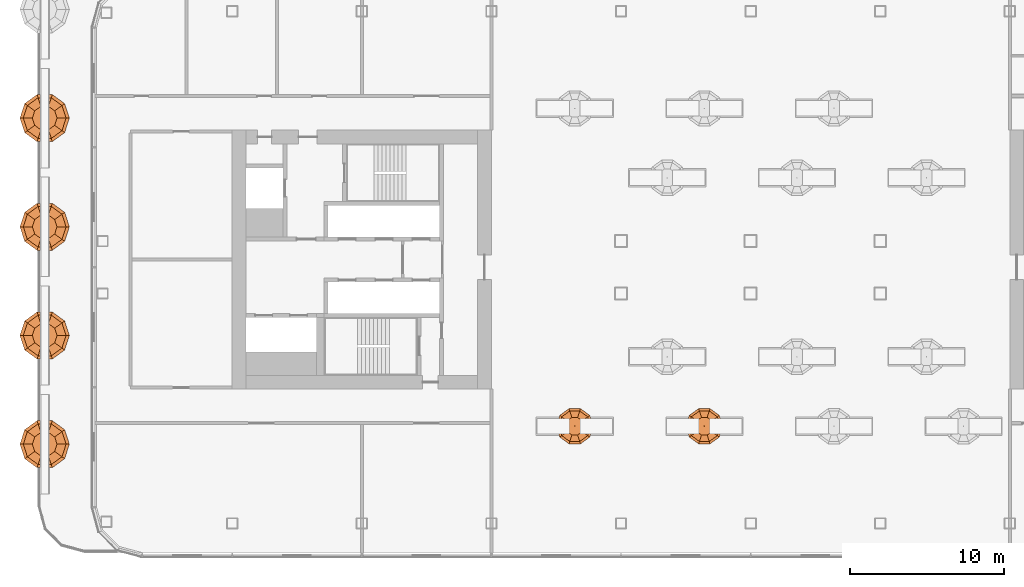
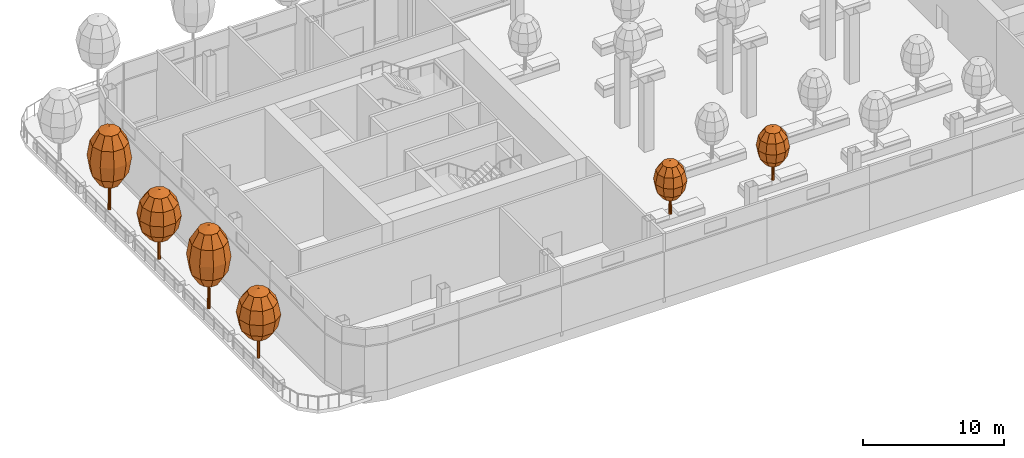
# One storey, part 38 of 43: 6 geographic elements.
"""IFC4 building model written with IfcOpenShell, lengths in metres."""

from ifc_helpers import new_model, si_unit, direction, frame, origin, place, context, subcontext, project, spatial, triangles, material, type_object, element, save


model = new_model("IFC4")

# Units and contexts
model_context = context("Model", 3, precision=1e-05, world=origin(), true_north=direction((0.0, 1.0)))
body_context = subcontext(model_context, "Body", "Model", "MODEL_VIEW")
ifc_project = project(units=[si_unit("LENGTHUNIT", "METRE"), si_unit("AREAUNIT", "SQUARE_METRE"), si_unit("VOLUMEUNIT", "CUBIC_METRE"), si_unit("PLANEANGLEUNIT", "RADIAN"), si_unit("MASSUNIT", "GRAM", prefix="KILO")], contexts=[model_context])

# Site, building, storey
site_placement = place(None, origin())
site = spatial("IfcSite", under=ifc_project, at=site_placement, CompositionType="ELEMENT")
building_placement = place(site_placement, origin())
building = spatial("IfcBuilding", under=site, at=building_placement, Name="Hakoniwa Tower and Hamabe Station Hall", CompositionType="ELEMENT")
storey_placement = place(building_placement, frame((0.0, 0.0, 124.60009765625)))
storey = spatial("IfcBuildingStorey", under=building, at=storey_placement, Name="L35", CompositionType="ELEMENT", Elevation=124.60009765625)

# Geographic elements
ifc_material_1 = material(Name="Tree foliage")
geographic_element_type_1 = type_object("IfcGeographicElementType", Name="Camellia 4.6 m", PredefinedType="USERDEFINED", material=ifc_material_1)
geographic_element_1_placement = place(storey_placement, frame((-11.39990234375, -10.800048828125, 0.599853515625)))
element("IfcGeographicElement", 1, at=geographic_element_1_placement, inside=storey, type_object=geographic_element_type_1, Name="Camellia 4-6 m", ObjectType="TREE", PredefinedType="USERDEFINED", context=body_context, shape_type="Tessellation", body=[
    triangles([(0.125, 0.0, 0.0), (0.08837890625, 0.08837890625, 0.0), (0.0, 0.125, 0.0), (-0.08837890625, 0.08837890625, 0.0), (-0.125, 0.0, 0.0), (-0.08837890625, -0.08837890625, 0.0), (0.0, -0.125, 0.0), (0.08837890625, -0.08837890625, 0.0), (0.074951171875, 0.0, 2.778564453125), (0.052978515625, 0.052978515625, 2.778564453125), (0.0, 0.074951171875, 2.778564453125), (-0.052978515625, 0.052978515625, 2.778564453125), (-0.074951171875, 0.0, 2.778564453125), (-0.052978515625, -0.052978515625, 2.778564453125), (0.0, -0.074951171875, 2.778564453125), (0.052978515625, -0.052978515625, 2.778564453125), (0.0, 0.0, 0.0), (0.0, 0.0, 2.778564453125)], [[1, 2, 10], [1, 10, 9], [17, 2, 1], [18, 9, 10], [2, 3, 11], [2, 11, 10], [17, 3, 2], [18, 10, 11], [3, 4, 12], [3, 12, 11], [17, 4, 3], [18, 11, 12], [4, 5, 13], [4, 13, 12], [17, 5, 4], [18, 12, 13], [5, 6, 14], [5, 14, 13], [17, 6, 5], [18, 13, 14], [6, 7, 15], [6, 15, 14], [17, 7, 6], [18, 14, 15], [7, 8, 16], [7, 16, 15], [17, 8, 7], [18, 15, 16], [8, 1, 9], [8, 9, 16], [17, 1, 8], [18, 16, 9]], closed=True),
    triangles([(0.0, 0.0, 1.2880859375), (0.599853515625, 0.0, 1.510009765625), (0.4853515625, 0.3525390625, 1.510009765625), (0.185302734375, 0.570556640625, 1.510009765625), (-0.185302734375, 0.570556640625, 1.510009765625), (-0.4853515625, 0.3525390625, 1.510009765625), (-0.599853515625, 0.0, 1.510009765625), (-0.4853515625, -0.3525390625, 1.510009765625), (-0.185302734375, -0.570556640625, 1.510009765625), (0.185302734375, -0.570556640625, 1.510009765625), (0.4853515625, -0.3525390625, 1.510009765625), (1.039306640625, 0.0, 2.115966796875), (0.8408203125, 0.61083984375, 2.115966796875), (0.321044921875, 0.98828125, 2.115966796875), (-0.321044921875, 0.98828125, 2.115966796875), (-0.8408203125, 0.61083984375, 2.115966796875), (-1.039306640625, 0.0, 2.115966796875), (-0.8408203125, -0.61083984375, 2.115966796875), (-0.321044921875, -0.98828125, 2.115966796875), (0.321044921875, -0.98828125, 2.115966796875), (0.8408203125, -0.61083984375, 2.115966796875), (1.199951171875, 0.0, 2.944091796875), (0.970703125, 0.705322265625, 2.944091796875), (0.370849609375, 1.14111328125, 2.944091796875), (-0.370849609375, 1.14111328125, 2.944091796875), (-0.970703125, 0.705322265625, 2.944091796875), (-1.199951171875, 0.0, 2.944091796875), (-0.970703125, -0.705322265625, 2.944091796875), (-0.370849609375, -1.14111328125, 2.944091796875), (0.370849609375, -1.14111328125, 2.944091796875), (0.970703125, -0.705322265625, 2.944091796875), (1.039306640625, 0.0, 3.77197265625), (0.8408203125, 0.61083984375, 3.77197265625), (0.321044921875, 0.98828125, 3.77197265625), (-0.321044921875, 0.98828125, 3.77197265625), (-0.8408203125, 0.61083984375, 3.77197265625), (-1.039306640625, 0.0, 3.77197265625), (-0.8408203125, -0.61083984375, 3.77197265625), (-0.321044921875, -0.98828125, 3.77197265625), (0.321044921875, -0.98828125, 3.77197265625), (0.8408203125, -0.61083984375, 3.77197265625), (0.599853515625, 0.0, 4.378173828125), (0.4853515625, 0.3525390625, 4.378173828125), (0.185302734375, 0.570556640625, 4.378173828125), (-0.185302734375, 0.570556640625, 4.378173828125), (-0.4853515625, 0.3525390625, 4.378173828125), (-0.599853515625, 0.0, 4.378173828125), (-0.4853515625, -0.3525390625, 4.378173828125), (-0.185302734375, -0.570556640625, 4.378173828125), (0.185302734375, -0.570556640625, 4.378173828125), (0.4853515625, -0.3525390625, 4.378173828125), (0.0, 0.0, 4.60009765625)], [[1, 3, 2], [1, 4, 3], [1, 5, 4], [1, 6, 5], [1, 7, 6], [1, 8, 7], [1, 9, 8], [1, 10, 9], [1, 11, 10], [1, 2, 11], [2, 3, 13], [2, 13, 12], [3, 4, 14], [3, 14, 13], [4, 5, 15], [4, 15, 14], [5, 6, 16], [5, 16, 15], [6, 7, 17], [6, 17, 16], [7, 8, 18], [7, 18, 17], [8, 9, 19], [8, 19, 18], [9, 10, 20], [9, 20, 19], [10, 11, 21], [10, 21, 20], [11, 2, 12], [11, 12, 21], [12, 13, 23], [12, 23, 22], [13, 14, 24], [13, 24, 23], [14, 15, 25], [14, 25, 24], [15, 16, 26], [15, 26, 25], [16, 17, 27], [16, 27, 26], [17, 18, 28], [17, 28, 27], [18, 19, 29], [18, 29, 28], [19, 20, 30], [19, 30, 29], [20, 21, 31], [20, 31, 30], [21, 12, 22], [21, 22, 31], [22, 23, 33], [22, 33, 32], [23, 24, 34], [23, 34, 33], [24, 25, 35], [24, 35, 34], [25, 26, 36], [25, 36, 35], [26, 27, 37], [26, 37, 36], [27, 28, 38], [27, 38, 37], [28, 29, 39], [28, 39, 38], [29, 30, 40], [29, 40, 39], [30, 31, 41], [30, 41, 40], [31, 22, 32], [31, 32, 41], [32, 33, 43], [32, 43, 42], [33, 34, 44], [33, 44, 43], [34, 35, 45], [34, 45, 44], [35, 36, 46], [35, 46, 45], [36, 37, 47], [36, 47, 46], [37, 38, 48], [37, 48, 47], [38, 39, 49], [38, 49, 48], [39, 40, 50], [39, 50, 49], [40, 41, 51], [40, 51, 50], [41, 32, 42], [41, 42, 51], [52, 42, 43], [52, 43, 44], [52, 44, 45], [52, 45, 46], [52, 46, 47], [52, 47, 48], [52, 48, 49], [52, 49, 50], [52, 50, 51], [52, 51, 42]], closed=True),
])
geographic_element_2_placement = place(storey_placement, frame((-3.0, -10.800048828125, 0.599853515625)))
element("IfcGeographicElement", 2, at=geographic_element_2_placement, inside=storey, type_object=geographic_element_type_1, Name="Camellia 4-6 m", ObjectType="TREE", PredefinedType="USERDEFINED", context=body_context, shape_type="Tessellation", body=[
    triangles([(0.125, 0.0, 0.0), (0.08837890625, 0.08837890625, 0.0), (0.0, 0.125, 0.0), (-0.08837890625, 0.08837890625, 0.0), (-0.125, 0.0, 0.0), (-0.08837890625, -0.08837890625, 0.0), (0.0, -0.125, 0.0), (0.08837890625, -0.08837890625, 0.0), (0.074951171875, 0.0, 2.778564453125), (0.052978515625, 0.052978515625, 2.778564453125), (0.0, 0.074951171875, 2.778564453125), (-0.052978515625, 0.052978515625, 2.778564453125), (-0.074951171875, 0.0, 2.778564453125), (-0.052978515625, -0.052978515625, 2.778564453125), (0.0, -0.074951171875, 2.778564453125), (0.052978515625, -0.052978515625, 2.778564453125), (0.0, 0.0, 0.0), (0.0, 0.0, 2.778564453125)], [[1, 2, 10], [1, 10, 9], [17, 2, 1], [18, 9, 10], [2, 3, 11], [2, 11, 10], [17, 3, 2], [18, 10, 11], [3, 4, 12], [3, 12, 11], [17, 4, 3], [18, 11, 12], [4, 5, 13], [4, 13, 12], [17, 5, 4], [18, 12, 13], [5, 6, 14], [5, 14, 13], [17, 6, 5], [18, 13, 14], [6, 7, 15], [6, 15, 14], [17, 7, 6], [18, 14, 15], [7, 8, 16], [7, 16, 15], [17, 8, 7], [18, 15, 16], [8, 1, 9], [8, 9, 16], [17, 1, 8], [18, 16, 9]], closed=True),
    triangles([(0.0, 0.0, 1.2880859375), (0.599853515625, 0.0, 1.510009765625), (0.4853515625, 0.3525390625, 1.510009765625), (0.185302734375, 0.570556640625, 1.510009765625), (-0.185302734375, 0.570556640625, 1.510009765625), (-0.4853515625, 0.3525390625, 1.510009765625), (-0.599853515625, 0.0, 1.510009765625), (-0.4853515625, -0.3525390625, 1.510009765625), (-0.185302734375, -0.570556640625, 1.510009765625), (0.185302734375, -0.570556640625, 1.510009765625), (0.4853515625, -0.3525390625, 1.510009765625), (1.039306640625, 0.0, 2.115966796875), (0.8408203125, 0.61083984375, 2.115966796875), (0.321044921875, 0.98828125, 2.115966796875), (-0.321044921875, 0.98828125, 2.115966796875), (-0.8408203125, 0.61083984375, 2.115966796875), (-1.039306640625, 0.0, 2.115966796875), (-0.8408203125, -0.61083984375, 2.115966796875), (-0.321044921875, -0.98828125, 2.115966796875), (0.321044921875, -0.98828125, 2.115966796875), (0.8408203125, -0.61083984375, 2.115966796875), (1.199951171875, 0.0, 2.944091796875), (0.970703125, 0.705322265625, 2.944091796875), (0.370849609375, 1.14111328125, 2.944091796875), (-0.370849609375, 1.14111328125, 2.944091796875), (-0.970703125, 0.705322265625, 2.944091796875), (-1.199951171875, 0.0, 2.944091796875), (-0.970703125, -0.705322265625, 2.944091796875), (-0.370849609375, -1.14111328125, 2.944091796875), (0.370849609375, -1.14111328125, 2.944091796875), (0.970703125, -0.705322265625, 2.944091796875), (1.039306640625, 0.0, 3.77197265625), (0.8408203125, 0.61083984375, 3.77197265625), (0.321044921875, 0.98828125, 3.77197265625), (-0.321044921875, 0.98828125, 3.77197265625), (-0.8408203125, 0.61083984375, 3.77197265625), (-1.039306640625, 0.0, 3.77197265625), (-0.8408203125, -0.61083984375, 3.77197265625), (-0.321044921875, -0.98828125, 3.77197265625), (0.321044921875, -0.98828125, 3.77197265625), (0.8408203125, -0.61083984375, 3.77197265625), (0.599853515625, 0.0, 4.378173828125), (0.4853515625, 0.3525390625, 4.378173828125), (0.185302734375, 0.570556640625, 4.378173828125), (-0.185302734375, 0.570556640625, 4.378173828125), (-0.4853515625, 0.3525390625, 4.378173828125), (-0.599853515625, 0.0, 4.378173828125), (-0.4853515625, -0.3525390625, 4.378173828125), (-0.185302734375, -0.570556640625, 4.378173828125), (0.185302734375, -0.570556640625, 4.378173828125), (0.4853515625, -0.3525390625, 4.378173828125), (0.0, 0.0, 4.60009765625)], [[1, 3, 2], [1, 4, 3], [1, 5, 4], [1, 6, 5], [1, 7, 6], [1, 8, 7], [1, 9, 8], [1, 10, 9], [1, 11, 10], [1, 2, 11], [2, 3, 13], [2, 13, 12], [3, 4, 14], [3, 14, 13], [4, 5, 15], [4, 15, 14], [5, 6, 16], [5, 16, 15], [6, 7, 17], [6, 17, 16], [7, 8, 18], [7, 18, 17], [8, 9, 19], [8, 19, 18], [9, 10, 20], [9, 20, 19], [10, 11, 21], [10, 21, 20], [11, 2, 12], [11, 12, 21], [12, 13, 23], [12, 23, 22], [13, 14, 24], [13, 24, 23], [14, 15, 25], [14, 25, 24], [15, 16, 26], [15, 26, 25], [16, 17, 27], [16, 27, 26], [17, 18, 28], [17, 28, 27], [18, 19, 29], [18, 29, 28], [19, 20, 30], [19, 30, 29], [20, 21, 31], [20, 31, 30], [21, 12, 22], [21, 22, 31], [22, 23, 33], [22, 33, 32], [23, 24, 34], [23, 34, 33], [24, 25, 35], [24, 35, 34], [25, 26, 36], [25, 36, 35], [26, 27, 37], [26, 37, 36], [27, 28, 38], [27, 38, 37], [28, 29, 39], [28, 39, 38], [29, 30, 40], [29, 40, 39], [30, 31, 41], [30, 41, 40], [31, 22, 32], [31, 32, 41], [32, 33, 43], [32, 43, 42], [33, 34, 44], [33, 44, 43], [34, 35, 45], [34, 45, 44], [35, 36, 46], [35, 46, 45], [36, 37, 47], [36, 47, 46], [37, 38, 48], [37, 48, 47], [38, 39, 49], [38, 49, 48], [39, 40, 50], [39, 50, 49], [40, 41, 51], [40, 51, 50], [41, 32, 42], [41, 42, 51], [52, 42, 43], [52, 43, 44], [52, 44, 45], [52, 45, 46], [52, 46, 47], [52, 47, 48], [52, 48, 49], [52, 49, 50], [52, 50, 51], [52, 51, 42]], closed=True),
])
ifc_material_2 = material(Name="Tree foliage")
geographic_element_type_2 = type_object("IfcGeographicElementType", Name="Japanese maple 7.2 m", PredefinedType="USERDEFINED", material=ifc_material_2)
geographic_element_3_placement = place(storey_placement, frame((-45.7509765625, 9.169677734375, 0.89990234375)))
element("IfcGeographicElement", 3, at=geographic_element_3_placement, inside=storey, type_object=geographic_element_type_2, Name="Japanese maple 7-2 m", ObjectType="TREE", PredefinedType="USERDEFINED", context=body_context, shape_type="Tessellation", body=[
    triangles([(0.125, 0.0, 0.0), (0.08837890625, 0.08837890625, 0.0), (0.0, 0.125, 0.0), (-0.08837890625, 0.08837890625, 0.0), (-0.125, 0.0, 0.0), (-0.08837890625, -0.08837890625, 0.0), (0.0, -0.125, 0.0), (0.08837890625, -0.08837890625, 0.0), (0.074951171875, 0.0, 4.348876953125), (0.052978515625, 0.052978515625, 4.348876953125), (0.0, 0.074951171875, 4.348876953125), (-0.052978515625, 0.052978515625, 4.348876953125), (-0.074951171875, 0.0, 4.348876953125), (-0.052978515625, -0.052978515625, 4.348876953125), (0.0, -0.074951171875, 4.348876953125), (0.052978515625, -0.052978515625, 4.348876953125), (0.0, 0.0, 0.0), (0.0, 0.0, 4.348876953125)], [[1, 2, 10], [1, 10, 9], [17, 2, 1], [18, 9, 10], [2, 3, 11], [2, 11, 10], [17, 3, 2], [18, 10, 11], [3, 4, 12], [3, 12, 11], [17, 4, 3], [18, 11, 12], [4, 5, 13], [4, 13, 12], [17, 5, 4], [18, 12, 13], [5, 6, 14], [5, 14, 13], [17, 6, 5], [18, 13, 14], [6, 7, 15], [6, 15, 14], [17, 7, 6], [18, 14, 15], [7, 8, 16], [7, 16, 15], [17, 8, 7], [18, 15, 16], [8, 1, 9], [8, 9, 16], [17, 1, 8], [18, 16, 9]], closed=True),
    triangles([(0.0, 0.0, 2.015869140625), (0.800048828125, 0.0, 2.36328125), (0.647216796875, 0.47021484375, 2.36328125), (0.247314453125, 0.7607421875, 2.36328125), (-0.247314453125, 0.7607421875, 2.36328125), (-0.647216796875, 0.47021484375, 2.36328125), (-0.800048828125, 0.0, 2.36328125), (-0.647216796875, -0.47021484375, 2.36328125), (-0.247314453125, -0.7607421875, 2.36328125), (0.247314453125, -0.7607421875, 2.36328125), (0.647216796875, -0.47021484375, 2.36328125), (1.385498046875, 0.0, 3.31201171875), (1.12109375, 0.814453125, 3.31201171875), (0.42822265625, 1.31787109375, 3.31201171875), (-0.42822265625, 1.31787109375, 3.31201171875), (-1.12109375, 0.814453125, 3.31201171875), (-1.385498046875, 0.0, 3.31201171875), (-1.12109375, -0.814453125, 3.31201171875), (-0.42822265625, -1.31787109375, 3.31201171875), (0.42822265625, -1.31787109375, 3.31201171875), (1.12109375, -0.814453125, 3.31201171875), (1.60009765625, 0.0, 4.60791015625), (1.29443359375, 0.9404296875, 4.60791015625), (0.494384765625, 1.521728515625, 4.60791015625), (-0.494384765625, 1.521728515625, 4.60791015625), (-1.29443359375, 0.9404296875, 4.60791015625), (-1.60009765625, 0.0, 4.60791015625), (-1.29443359375, -0.9404296875, 4.60791015625), (-0.494384765625, -1.521728515625, 4.60791015625), (0.494384765625, -1.521728515625, 4.60791015625), (1.29443359375, -0.9404296875, 4.60791015625), (1.385498046875, 0.0, 5.904052734375), (1.12109375, 0.814453125, 5.904052734375), (0.42822265625, 1.31787109375, 5.904052734375), (-0.42822265625, 1.31787109375, 5.904052734375), (-1.12109375, 0.814453125, 5.904052734375), (-1.385498046875, 0.0, 5.904052734375), (-1.12109375, -0.814453125, 5.904052734375), (-0.42822265625, -1.31787109375, 5.904052734375), (0.42822265625, -1.31787109375, 5.904052734375), (1.12109375, -0.814453125, 5.904052734375), (0.800048828125, 0.0, 6.852783203125), (0.647216796875, 0.47021484375, 6.852783203125), (0.247314453125, 0.7607421875, 6.852783203125), (-0.247314453125, 0.7607421875, 6.852783203125), (-0.647216796875, 0.47021484375, 6.852783203125), (-0.800048828125, 0.0, 6.852783203125), (-0.647216796875, -0.47021484375, 6.852783203125), (-0.247314453125, -0.7607421875, 6.852783203125), (0.247314453125, -0.7607421875, 6.852783203125), (0.647216796875, -0.47021484375, 6.852783203125), (0.0, 0.0, 7.199951171875)], [[1, 3, 2], [1, 4, 3], [1, 5, 4], [1, 6, 5], [1, 7, 6], [1, 8, 7], [1, 9, 8], [1, 10, 9], [1, 11, 10], [1, 2, 11], [2, 3, 13], [2, 13, 12], [3, 4, 14], [3, 14, 13], [4, 5, 15], [4, 15, 14], [5, 6, 16], [5, 16, 15], [6, 7, 17], [6, 17, 16], [7, 8, 18], [7, 18, 17], [8, 9, 19], [8, 19, 18], [9, 10, 20], [9, 20, 19], [10, 11, 21], [10, 21, 20], [11, 2, 12], [11, 12, 21], [12, 13, 23], [12, 23, 22], [13, 14, 24], [13, 24, 23], [14, 15, 25], [14, 25, 24], [15, 16, 26], [15, 26, 25], [16, 17, 27], [16, 27, 26], [17, 18, 28], [17, 28, 27], [18, 19, 29], [18, 29, 28], [19, 20, 30], [19, 30, 29], [20, 21, 31], [20, 31, 30], [21, 12, 22], [21, 22, 31], [22, 23, 33], [22, 33, 32], [23, 24, 34], [23, 34, 33], [24, 25, 35], [24, 35, 34], [25, 26, 36], [25, 36, 35], [26, 27, 37], [26, 37, 36], [27, 28, 38], [27, 38, 37], [28, 29, 39], [28, 39, 38], [29, 30, 40], [29, 40, 39], [30, 31, 41], [30, 41, 40], [31, 22, 32], [31, 32, 41], [32, 33, 43], [32, 43, 42], [33, 34, 44], [33, 44, 43], [34, 35, 45], [34, 45, 44], [35, 36, 46], [35, 46, 45], [36, 37, 47], [36, 47, 46], [37, 38, 48], [37, 48, 47], [38, 39, 49], [38, 49, 48], [39, 40, 50], [39, 50, 49], [40, 41, 51], [40, 51, 50], [41, 32, 42], [41, 42, 51], [52, 42, 43], [52, 43, 44], [52, 44, 45], [52, 45, 46], [52, 46, 47], [52, 47, 48], [52, 48, 49], [52, 49, 50], [52, 50, 51], [52, 51, 42]], closed=True),
])
geographic_element_4_placement = place(storey_placement, frame((-45.7509765625, -4.919677734375, 0.89990234375)))
element("IfcGeographicElement", 4, at=geographic_element_4_placement, inside=storey, type_object=geographic_element_type_2, Name="Japanese maple 7-2 m", ObjectType="TREE", PredefinedType="USERDEFINED", context=body_context, shape_type="Tessellation", body=[
    triangles([(0.125, 0.0, 0.0), (0.08837890625, 0.08837890625, 0.0), (0.0, 0.125, 0.0), (-0.08837890625, 0.08837890625, 0.0), (-0.125, 0.0, 0.0), (-0.08837890625, -0.08837890625, 0.0), (0.0, -0.125, 0.0), (0.08837890625, -0.08837890625, 0.0), (0.074951171875, 0.0, 4.348876953125), (0.052978515625, 0.052978515625, 4.348876953125), (0.0, 0.074951171875, 4.348876953125), (-0.052978515625, 0.052978515625, 4.348876953125), (-0.074951171875, 0.0, 4.348876953125), (-0.052978515625, -0.052978515625, 4.348876953125), (0.0, -0.074951171875, 4.348876953125), (0.052978515625, -0.052978515625, 4.348876953125), (0.0, 0.0, 0.0), (0.0, 0.0, 4.348876953125)], [[1, 2, 10], [1, 10, 9], [17, 2, 1], [18, 9, 10], [2, 3, 11], [2, 11, 10], [17, 3, 2], [18, 10, 11], [3, 4, 12], [3, 12, 11], [17, 4, 3], [18, 11, 12], [4, 5, 13], [4, 13, 12], [17, 5, 4], [18, 12, 13], [5, 6, 14], [5, 14, 13], [17, 6, 5], [18, 13, 14], [6, 7, 15], [6, 15, 14], [17, 7, 6], [18, 14, 15], [7, 8, 16], [7, 16, 15], [17, 8, 7], [18, 15, 16], [8, 1, 9], [8, 9, 16], [17, 1, 8], [18, 16, 9]], closed=True),
    triangles([(0.0, 0.0, 2.015869140625), (0.800048828125, 0.0, 2.36328125), (0.647216796875, 0.47021484375, 2.36328125), (0.247314453125, 0.7607421875, 2.36328125), (-0.247314453125, 0.7607421875, 2.36328125), (-0.647216796875, 0.47021484375, 2.36328125), (-0.800048828125, 0.0, 2.36328125), (-0.647216796875, -0.47021484375, 2.36328125), (-0.247314453125, -0.7607421875, 2.36328125), (0.247314453125, -0.7607421875, 2.36328125), (0.647216796875, -0.47021484375, 2.36328125), (1.385498046875, 0.0, 3.31201171875), (1.12109375, 0.814453125, 3.31201171875), (0.42822265625, 1.31787109375, 3.31201171875), (-0.42822265625, 1.31787109375, 3.31201171875), (-1.12109375, 0.814453125, 3.31201171875), (-1.385498046875, 0.0, 3.31201171875), (-1.12109375, -0.814453125, 3.31201171875), (-0.42822265625, -1.31787109375, 3.31201171875), (0.42822265625, -1.31787109375, 3.31201171875), (1.12109375, -0.814453125, 3.31201171875), (1.60009765625, 0.0, 4.60791015625), (1.29443359375, 0.9404296875, 4.60791015625), (0.494384765625, 1.521728515625, 4.60791015625), (-0.494384765625, 1.521728515625, 4.60791015625), (-1.29443359375, 0.9404296875, 4.60791015625), (-1.60009765625, 0.0, 4.60791015625), (-1.29443359375, -0.9404296875, 4.60791015625), (-0.494384765625, -1.521728515625, 4.60791015625), (0.494384765625, -1.521728515625, 4.60791015625), (1.29443359375, -0.9404296875, 4.60791015625), (1.385498046875, 0.0, 5.904052734375), (1.12109375, 0.814453125, 5.904052734375), (0.42822265625, 1.31787109375, 5.904052734375), (-0.42822265625, 1.31787109375, 5.904052734375), (-1.12109375, 0.814453125, 5.904052734375), (-1.385498046875, 0.0, 5.904052734375), (-1.12109375, -0.814453125, 5.904052734375), (-0.42822265625, -1.31787109375, 5.904052734375), (0.42822265625, -1.31787109375, 5.904052734375), (1.12109375, -0.814453125, 5.904052734375), (0.800048828125, 0.0, 6.852783203125), (0.647216796875, 0.47021484375, 6.852783203125), (0.247314453125, 0.7607421875, 6.852783203125), (-0.247314453125, 0.7607421875, 6.852783203125), (-0.647216796875, 0.47021484375, 6.852783203125), (-0.800048828125, 0.0, 6.852783203125), (-0.647216796875, -0.47021484375, 6.852783203125), (-0.247314453125, -0.7607421875, 6.852783203125), (0.247314453125, -0.7607421875, 6.852783203125), (0.647216796875, -0.47021484375, 6.852783203125), (0.0, 0.0, 7.199951171875)], [[1, 3, 2], [1, 4, 3], [1, 5, 4], [1, 6, 5], [1, 7, 6], [1, 8, 7], [1, 9, 8], [1, 10, 9], [1, 11, 10], [1, 2, 11], [2, 3, 13], [2, 13, 12], [3, 4, 14], [3, 14, 13], [4, 5, 15], [4, 15, 14], [5, 6, 16], [5, 16, 15], [6, 7, 17], [6, 17, 16], [7, 8, 18], [7, 18, 17], [8, 9, 19], [8, 19, 18], [9, 10, 20], [9, 20, 19], [10, 11, 21], [10, 21, 20], [11, 2, 12], [11, 12, 21], [12, 13, 23], [12, 23, 22], [13, 14, 24], [13, 24, 23], [14, 15, 25], [14, 25, 24], [15, 16, 26], [15, 26, 25], [16, 17, 27], [16, 27, 26], [17, 18, 28], [17, 28, 27], [18, 19, 29], [18, 29, 28], [19, 20, 30], [19, 30, 29], [20, 21, 31], [20, 31, 30], [21, 12, 22], [21, 22, 31], [22, 23, 33], [22, 33, 32], [23, 24, 34], [23, 34, 33], [24, 25, 35], [24, 35, 34], [25, 26, 36], [25, 36, 35], [26, 27, 37], [26, 37, 36], [27, 28, 38], [27, 38, 37], [28, 29, 39], [28, 39, 38], [29, 30, 40], [29, 40, 39], [30, 31, 41], [30, 41, 40], [31, 22, 32], [31, 32, 41], [32, 33, 43], [32, 43, 42], [33, 34, 44], [33, 44, 43], [34, 35, 45], [34, 45, 44], [35, 36, 46], [35, 46, 45], [36, 37, 47], [36, 47, 46], [37, 38, 48], [37, 48, 47], [38, 39, 49], [38, 49, 48], [39, 40, 50], [39, 50, 49], [40, 41, 51], [40, 51, 50], [41, 32, 42], [41, 42, 51], [52, 42, 43], [52, 43, 44], [52, 44, 45], [52, 45, 46], [52, 46, 47], [52, 47, 48], [52, 48, 49], [52, 49, 50], [52, 50, 51], [52, 51, 42]], closed=True),
])
ifc_material_3 = material(Name="Tree foliage")
geographic_element_type_3 = type_object("IfcGeographicElementType", Name="Osmanthus 6.0 m", PredefinedType="USERDEFINED", material=ifc_material_3)
geographic_element_5_placement = place(storey_placement, frame((-45.7509765625, 2.125, 0.89990234375)))
element("IfcGeographicElement", 5, at=geographic_element_5_placement, inside=storey, type_object=geographic_element_type_3, Name="Osmanthus 6-0 m", ObjectType="TREE", PredefinedType="USERDEFINED", context=body_context, shape_type="Tessellation", body=[
    triangles([(0.125, 0.0, 0.0), (0.08837890625, 0.08837890625, 0.0), (0.0, 0.125, 0.0), (-0.08837890625, 0.08837890625, 0.0), (-0.125, 0.0, 0.0), (-0.08837890625, -0.08837890625, 0.0), (0.0, -0.125, 0.0), (0.08837890625, -0.08837890625, 0.0), (0.074951171875, 0.0, 3.6240234375), (0.052978515625, 0.052978515625, 3.6240234375), (0.0, 0.074951171875, 3.6240234375), (-0.052978515625, 0.052978515625, 3.6240234375), (-0.074951171875, 0.0, 3.6240234375), (-0.052978515625, -0.052978515625, 3.6240234375), (0.0, -0.074951171875, 3.6240234375), (0.052978515625, -0.052978515625, 3.6240234375), (0.0, 0.0, 0.0), (0.0, 0.0, 3.6240234375)], [[1, 2, 10], [1, 10, 9], [17, 2, 1], [18, 9, 10], [2, 3, 11], [2, 11, 10], [17, 3, 2], [18, 10, 11], [3, 4, 12], [3, 12, 11], [17, 4, 3], [18, 11, 12], [4, 5, 13], [4, 13, 12], [17, 5, 4], [18, 12, 13], [5, 6, 14], [5, 14, 13], [17, 6, 5], [18, 13, 14], [6, 7, 15], [6, 15, 14], [17, 7, 6], [18, 14, 15], [7, 8, 16], [7, 16, 15], [17, 8, 7], [18, 15, 16], [8, 1, 9], [8, 9, 16], [17, 1, 8], [18, 16, 9]], closed=True),
    triangles([(0.0, 0.0, 1.679931640625), (0.800048828125, 0.0, 1.969482421875), (0.647216796875, 0.47021484375, 1.969482421875), (0.247314453125, 0.7607421875, 1.969482421875), (-0.247314453125, 0.7607421875, 1.969482421875), (-0.647216796875, 0.47021484375, 1.969482421875), (-0.800048828125, 0.0, 1.969482421875), (-0.647216796875, -0.47021484375, 1.969482421875), (-0.247314453125, -0.7607421875, 1.969482421875), (0.247314453125, -0.7607421875, 1.969482421875), (0.647216796875, -0.47021484375, 1.969482421875), (1.385498046875, 0.0, 2.760009765625), (1.12109375, 0.814453125, 2.760009765625), (0.42822265625, 1.31787109375, 2.760009765625), (-0.42822265625, 1.31787109375, 2.760009765625), (-1.12109375, 0.814453125, 2.760009765625), (-1.385498046875, 0.0, 2.760009765625), (-1.12109375, -0.814453125, 2.760009765625), (-0.42822265625, -1.31787109375, 2.760009765625), (0.42822265625, -1.31787109375, 2.760009765625), (1.12109375, -0.814453125, 2.760009765625), (1.60009765625, 0.0, 3.840087890625), (1.29443359375, 0.9404296875, 3.840087890625), (0.494384765625, 1.521728515625, 3.840087890625), (-0.494384765625, 1.521728515625, 3.840087890625), (-1.29443359375, 0.9404296875, 3.840087890625), (-1.60009765625, 0.0, 3.840087890625), (-1.29443359375, -0.9404296875, 3.840087890625), (-0.494384765625, -1.521728515625, 3.840087890625), (0.494384765625, -1.521728515625, 3.840087890625), (1.29443359375, -0.9404296875, 3.840087890625), (1.385498046875, 0.0, 4.919921875), (1.12109375, 0.814453125, 4.919921875), (0.42822265625, 1.31787109375, 4.919921875), (-0.42822265625, 1.31787109375, 4.919921875), (-1.12109375, 0.814453125, 4.919921875), (-1.385498046875, 0.0, 4.919921875), (-1.12109375, -0.814453125, 4.919921875), (-0.42822265625, -1.31787109375, 4.919921875), (0.42822265625, -1.31787109375, 4.919921875), (1.12109375, -0.814453125, 4.919921875), (0.800048828125, 0.0, 5.710693359375), (0.647216796875, 0.47021484375, 5.710693359375), (0.247314453125, 0.7607421875, 5.710693359375), (-0.247314453125, 0.7607421875, 5.710693359375), (-0.647216796875, 0.47021484375, 5.710693359375), (-0.800048828125, 0.0, 5.710693359375), (-0.647216796875, -0.47021484375, 5.710693359375), (-0.247314453125, -0.7607421875, 5.710693359375), (0.247314453125, -0.7607421875, 5.710693359375), (0.647216796875, -0.47021484375, 5.710693359375), (0.0, 0.0, 6.0)], [[1, 3, 2], [1, 4, 3], [1, 5, 4], [1, 6, 5], [1, 7, 6], [1, 8, 7], [1, 9, 8], [1, 10, 9], [1, 11, 10], [1, 2, 11], [2, 3, 13], [2, 13, 12], [3, 4, 14], [3, 14, 13], [4, 5, 15], [4, 15, 14], [5, 6, 16], [5, 16, 15], [6, 7, 17], [6, 17, 16], [7, 8, 18], [7, 18, 17], [8, 9, 19], [8, 19, 18], [9, 10, 20], [9, 20, 19], [10, 11, 21], [10, 21, 20], [11, 2, 12], [11, 12, 21], [12, 13, 23], [12, 23, 22], [13, 14, 24], [13, 24, 23], [14, 15, 25], [14, 25, 24], [15, 16, 26], [15, 26, 25], [16, 17, 27], [16, 27, 26], [17, 18, 28], [17, 28, 27], [18, 19, 29], [18, 29, 28], [19, 20, 30], [19, 30, 29], [20, 21, 31], [20, 31, 30], [21, 12, 22], [21, 22, 31], [22, 23, 33], [22, 33, 32], [23, 24, 34], [23, 34, 33], [24, 25, 35], [24, 35, 34], [25, 26, 36], [25, 36, 35], [26, 27, 37], [26, 37, 36], [27, 28, 38], [27, 38, 37], [28, 29, 39], [28, 39, 38], [29, 30, 40], [29, 40, 39], [30, 31, 41], [30, 41, 40], [31, 22, 32], [31, 32, 41], [32, 33, 43], [32, 43, 42], [33, 34, 44], [33, 44, 43], [34, 35, 45], [34, 45, 44], [35, 36, 46], [35, 46, 45], [36, 37, 47], [36, 47, 46], [37, 38, 48], [37, 48, 47], [38, 39, 49], [38, 49, 48], [39, 40, 50], [39, 50, 49], [40, 41, 51], [40, 51, 50], [41, 32, 42], [41, 42, 51], [52, 42, 43], [52, 43, 44], [52, 44, 45], [52, 45, 46], [52, 46, 47], [52, 47, 48], [52, 48, 49], [52, 49, 50], [52, 50, 51], [52, 51, 42]], closed=True),
])
geographic_element_6_placement = place(storey_placement, frame((-45.7509765625, -11.96435546875, 0.89990234375)))
element("IfcGeographicElement", 6, at=geographic_element_6_placement, inside=storey, type_object=geographic_element_type_3, Name="Osmanthus 6-0 m", ObjectType="TREE", PredefinedType="USERDEFINED", context=body_context, shape_type="Tessellation", body=[
    triangles([(0.125, 0.0, 0.0), (0.08837890625, 0.08837890625, 0.0), (0.0, 0.125, 0.0), (-0.08837890625, 0.08837890625, 0.0), (-0.125, 0.0, 0.0), (-0.08837890625, -0.08837890625, 0.0), (0.0, -0.125, 0.0), (0.08837890625, -0.08837890625, 0.0), (0.074951171875, 0.0, 3.6240234375), (0.052978515625, 0.052978515625, 3.6240234375), (0.0, 0.074951171875, 3.6240234375), (-0.052978515625, 0.052978515625, 3.6240234375), (-0.074951171875, 0.0, 3.6240234375), (-0.052978515625, -0.052978515625, 3.6240234375), (0.0, -0.074951171875, 3.6240234375), (0.052978515625, -0.052978515625, 3.6240234375), (0.0, 0.0, 0.0), (0.0, 0.0, 3.6240234375)], [[1, 2, 10], [1, 10, 9], [17, 2, 1], [18, 9, 10], [2, 3, 11], [2, 11, 10], [17, 3, 2], [18, 10, 11], [3, 4, 12], [3, 12, 11], [17, 4, 3], [18, 11, 12], [4, 5, 13], [4, 13, 12], [17, 5, 4], [18, 12, 13], [5, 6, 14], [5, 14, 13], [17, 6, 5], [18, 13, 14], [6, 7, 15], [6, 15, 14], [17, 7, 6], [18, 14, 15], [7, 8, 16], [7, 16, 15], [17, 8, 7], [18, 15, 16], [8, 1, 9], [8, 9, 16], [17, 1, 8], [18, 16, 9]], closed=True),
    triangles([(0.0, 0.0, 1.679931640625), (0.800048828125, 0.0, 1.969482421875), (0.647216796875, 0.47021484375, 1.969482421875), (0.247314453125, 0.7607421875, 1.969482421875), (-0.247314453125, 0.7607421875, 1.969482421875), (-0.647216796875, 0.47021484375, 1.969482421875), (-0.800048828125, 0.0, 1.969482421875), (-0.647216796875, -0.47021484375, 1.969482421875), (-0.247314453125, -0.7607421875, 1.969482421875), (0.247314453125, -0.7607421875, 1.969482421875), (0.647216796875, -0.47021484375, 1.969482421875), (1.385498046875, 0.0, 2.760009765625), (1.12109375, 0.814453125, 2.760009765625), (0.42822265625, 1.31787109375, 2.760009765625), (-0.42822265625, 1.31787109375, 2.760009765625), (-1.12109375, 0.814453125, 2.760009765625), (-1.385498046875, 0.0, 2.760009765625), (-1.12109375, -0.814453125, 2.760009765625), (-0.42822265625, -1.31787109375, 2.760009765625), (0.42822265625, -1.31787109375, 2.760009765625), (1.12109375, -0.814453125, 2.760009765625), (1.60009765625, 0.0, 3.840087890625), (1.29443359375, 0.9404296875, 3.840087890625), (0.494384765625, 1.521728515625, 3.840087890625), (-0.494384765625, 1.521728515625, 3.840087890625), (-1.29443359375, 0.9404296875, 3.840087890625), (-1.60009765625, 0.0, 3.840087890625), (-1.29443359375, -0.9404296875, 3.840087890625), (-0.494384765625, -1.521728515625, 3.840087890625), (0.494384765625, -1.521728515625, 3.840087890625), (1.29443359375, -0.9404296875, 3.840087890625), (1.385498046875, 0.0, 4.919921875), (1.12109375, 0.814453125, 4.919921875), (0.42822265625, 1.31787109375, 4.919921875), (-0.42822265625, 1.31787109375, 4.919921875), (-1.12109375, 0.814453125, 4.919921875), (-1.385498046875, 0.0, 4.919921875), (-1.12109375, -0.814453125, 4.919921875), (-0.42822265625, -1.31787109375, 4.919921875), (0.42822265625, -1.31787109375, 4.919921875), (1.12109375, -0.814453125, 4.919921875), (0.800048828125, 0.0, 5.710693359375), (0.647216796875, 0.47021484375, 5.710693359375), (0.247314453125, 0.7607421875, 5.710693359375), (-0.247314453125, 0.7607421875, 5.710693359375), (-0.647216796875, 0.47021484375, 5.710693359375), (-0.800048828125, 0.0, 5.710693359375), (-0.647216796875, -0.47021484375, 5.710693359375), (-0.247314453125, -0.7607421875, 5.710693359375), (0.247314453125, -0.7607421875, 5.710693359375), (0.647216796875, -0.47021484375, 5.710693359375), (0.0, 0.0, 6.0)], [[1, 3, 2], [1, 4, 3], [1, 5, 4], [1, 6, 5], [1, 7, 6], [1, 8, 7], [1, 9, 8], [1, 10, 9], [1, 11, 10], [1, 2, 11], [2, 3, 13], [2, 13, 12], [3, 4, 14], [3, 14, 13], [4, 5, 15], [4, 15, 14], [5, 6, 16], [5, 16, 15], [6, 7, 17], [6, 17, 16], [7, 8, 18], [7, 18, 17], [8, 9, 19], [8, 19, 18], [9, 10, 20], [9, 20, 19], [10, 11, 21], [10, 21, 20], [11, 2, 12], [11, 12, 21], [12, 13, 23], [12, 23, 22], [13, 14, 24], [13, 24, 23], [14, 15, 25], [14, 25, 24], [15, 16, 26], [15, 26, 25], [16, 17, 27], [16, 27, 26], [17, 18, 28], [17, 28, 27], [18, 19, 29], [18, 29, 28], [19, 20, 30], [19, 30, 29], [20, 21, 31], [20, 31, 30], [21, 12, 22], [21, 22, 31], [22, 23, 33], [22, 33, 32], [23, 24, 34], [23, 34, 33], [24, 25, 35], [24, 35, 34], [25, 26, 36], [25, 36, 35], [26, 27, 37], [26, 37, 36], [27, 28, 38], [27, 38, 37], [28, 29, 39], [28, 39, 38], [29, 30, 40], [29, 40, 39], [30, 31, 41], [30, 41, 40], [31, 22, 32], [31, 32, 41], [32, 33, 43], [32, 43, 42], [33, 34, 44], [33, 44, 43], [34, 35, 45], [34, 45, 44], [35, 36, 46], [35, 46, 45], [36, 37, 47], [36, 47, 46], [37, 38, 48], [37, 48, 47], [38, 39, 49], [38, 49, 48], [39, 40, 50], [39, 50, 49], [40, 41, 51], [40, 51, 50], [41, 32, 42], [41, 42, 51], [52, 42, 43], [52, 43, 44], [52, 44, 45], [52, 45, 46], [52, 46, 47], [52, 47, 48], [52, 48, 49], [52, 49, 50], [52, 50, 51], [52, 51, 42]], closed=True),
])

save(model, "model.ifc")
